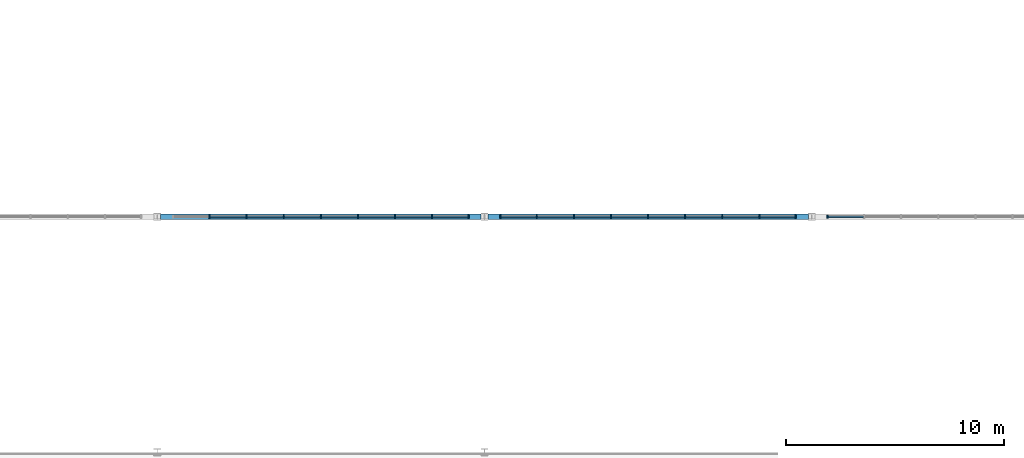
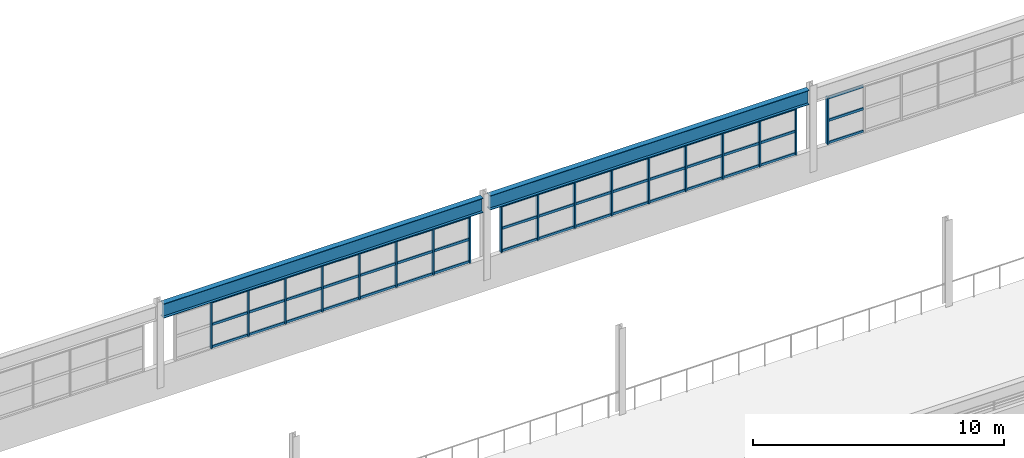
# One storey, part 16 of 92: 66 members, 2 beams, 3 elements without a shape of their own.
"""IFC4 building model written with IfcOpenShell, lengths in metres."""

from ifc_helpers import new_model, si_unit, direction, frame, origin, origin_2d, place, context, subcontext, project, spatial, rectangle, i_section, extrude, material, material_profile, profile_set, type_object, element, aggregate, save


model = new_model("IFC4")

# Units and contexts
model_context = context("Model", 3, precision=1e-05, world=origin(), true_north=direction((0.0, 1.0)))
body_context = subcontext(model_context, "Body", "Model", "MODEL_VIEW")
ifc_project = project(units=[si_unit("LENGTHUNIT", "METRE"), si_unit("AREAUNIT", "SQUARE_METRE"), si_unit("VOLUMEUNIT", "CUBIC_METRE"), si_unit("PLANEANGLEUNIT", "RADIAN"), si_unit("MASSUNIT", "GRAM", prefix="KILO")], contexts=[model_context])

# Site, building, storey
site_placement = place(None, origin())
site = spatial("IfcSite", under=ifc_project, at=site_placement, CompositionType="ELEMENT")
building_placement = place(site_placement, origin())
building = spatial("IfcBuilding", under=site, at=building_placement, Name="Solanera Park Tramway Depot", CompositionType="ELEMENT")
storey_placement = place(building_placement, frame((0.0, 0.0, 4.800048828125)))
storey = spatial("IfcBuildingStorey", under=building, at=storey_placement, Name="L01", CompositionType="ELEMENT", Elevation=4.800048828125)

# Curtain wall, members
ifc_material_1 = material(Name="Bronze-anodised thermally broken aluminium curtain wall", Category="aluminium")
curtain_wall_type = type_object("IfcCurtainWallType", Name="Workshop Daylight Ribbon Curtain Wall", PredefinedType="NOTDEFINED", material=ifc_material_1)
curtain_wall_1_placement = place(storey_placement, origin())
curtain_wall_1 = element("IfcCurtainWall", 1, at=curtain_wall_1_placement, inside=storey, type_object=curtain_wall_type, Name="L01 Workshop Daylight Ribbon Curtain Wall #144", PredefinedType="NOTDEFINED")
ifc_material_2 = material(Name="Bronze-anodised structural aluminium 6063-T6", Category="aluminium")
ifc_material_profile_1 = material_profile(ifc_material_2, rectangle(XDim=0.06494140625, YDim=0.14990234375, at=origin_2d()), Name="Curtain Wall Mullion 65x150")
ifc_profile_set_1 = profile_set([ifc_material_profile_1], Name="Bronze-anodised structural aluminium 6063-T6")
member_type_1 = type_object("IfcMemberType", Name="Curtain Wall Mullion 65x150", PredefinedType="MULLION", material=ifc_profile_set_1)
member_1_placement = place(storey_placement, frame((44.267578125, 54.0, 1.0), z_axis=(0.0, 0.0, 1.0), x_axis=(1.0, 0.0, 0.0)))
member_1 = element("IfcMember", 2, at=member_1_placement, type_object=member_type_1, Name="CW-L01-144 Mullion 1", PredefinedType="MULLION", context=body_context, shape_type="SweptSolid", body=[
    extrude(rectangle(XDim=0.06494140625, YDim=0.14990234375, at=origin_2d()), origin(), (0.0, 0.0, 1.0), 2.300048828125),
])
member_2_placement = place(storey_placement, frame((42.60009765625, 54.0, 1.0), z_axis=(0.0, 0.0, 1.0), x_axis=(1.0, 0.0, 0.0)))
member_2 = element("IfcMember", 3, at=member_2_placement, type_object=member_type_1, Name="CW-L01-144 Mullion 2", PredefinedType="MULLION", context=body_context, shape_type="SweptSolid", body=[
    extrude(rectangle(XDim=0.06494140625, YDim=0.14990234375, at=origin_2d()), origin(), (0.0, 0.0, 1.0), 2.300048828125),
])
member_3_placement = place(storey_placement, frame((40.89990234375, 54.0, 1.0), z_axis=(0.0, 0.0, 1.0), x_axis=(1.0, 0.0, 0.0)))
member_3 = element("IfcMember", 4, at=member_3_placement, type_object=member_type_1, Name="CW-L01-144 Mullion 3", PredefinedType="MULLION", context=body_context, shape_type="SweptSolid", body=[
    extrude(rectangle(XDim=0.06494140625, YDim=0.14990234375, at=origin_2d()), origin(), (0.0, 0.0, 1.0), 2.300048828125),
])
member_4_placement = place(storey_placement, frame((39.199951171875, 54.0, 1.0), z_axis=(0.0, 0.0, 1.0), x_axis=(1.0, 0.0, 0.0)))
member_4 = element("IfcMember", 5, at=member_4_placement, type_object=member_type_1, Name="CW-L01-144 Mullion 4", PredefinedType="MULLION", context=body_context, shape_type="SweptSolid", body=[
    extrude(rectangle(XDim=0.06494140625, YDim=0.14990234375, at=origin_2d()), origin(), (0.0, 0.0, 1.0), 2.300048828125),
])
member_5_placement = place(storey_placement, frame((37.5, 54.0, 1.0), z_axis=(0.0, 0.0, 1.0), x_axis=(1.0, 0.0, 0.0)))
member_5 = element("IfcMember", 6, at=member_5_placement, type_object=member_type_1, Name="CW-L01-144 Mullion 5", PredefinedType="MULLION", context=body_context, shape_type="SweptSolid", body=[
    extrude(rectangle(XDim=0.06494140625, YDim=0.14990234375, at=origin_2d()), origin(), (0.0, 0.0, 1.0), 2.300048828125),
])
member_6_placement = place(storey_placement, frame((35.800048828125, 54.0, 1.0), z_axis=(0.0, 0.0, 1.0), x_axis=(1.0, 0.0, 0.0)))
member_6 = element("IfcMember", 7, at=member_6_placement, type_object=member_type_1, Name="CW-L01-144 Mullion 6", PredefinedType="MULLION", context=body_context, shape_type="SweptSolid", body=[
    extrude(rectangle(XDim=0.06494140625, YDim=0.14990234375, at=origin_2d()), origin(), (0.0, 0.0, 1.0), 2.300048828125),
])
member_7_placement = place(storey_placement, frame((34.10009765625, 54.0, 1.0), z_axis=(0.0, 0.0, 1.0), x_axis=(1.0, 0.0, 0.0)))
member_7 = element("IfcMember", 8, at=member_7_placement, type_object=member_type_1, Name="CW-L01-144 Mullion 7", PredefinedType="MULLION", context=body_context, shape_type="SweptSolid", body=[
    extrude(rectangle(XDim=0.06494140625, YDim=0.14990234375, at=origin_2d()), origin(), (0.0, 0.0, 1.0), 2.300048828125),
])
member_8_placement = place(storey_placement, frame((32.39990234375, 54.0, 1.0), z_axis=(0.0, 0.0, 1.0), x_axis=(1.0, 0.0, 0.0)))
member_8 = element("IfcMember", 9, at=member_8_placement, type_object=member_type_1, Name="CW-L01-144 Mullion 8", PredefinedType="MULLION", context=body_context, shape_type="SweptSolid", body=[
    extrude(rectangle(XDim=0.06494140625, YDim=0.14990234375, at=origin_2d()), origin(), (0.0, 0.0, 1.0), 2.300048828125),
])

curtain_wall_2_placement = place(storey_placement, origin())
curtain_wall_2 = element("IfcCurtainWall", 10, at=curtain_wall_2_placement, inside=storey, type_object=curtain_wall_type, Name="L01 Workshop Daylight Ribbon Curtain Wall #146", PredefinedType="NOTDEFINED")
member_9_placement = place(storey_placement, frame((59.267578125, 54.0, 1.0), z_axis=(0.0, 0.0, 1.0), x_axis=(1.0, 0.0, 0.0)))
member_9 = element("IfcMember", 11, at=member_9_placement, type_object=member_type_1, Name="CW-L01-146 Mullion 1", PredefinedType="MULLION", context=body_context, shape_type="SweptSolid", body=[
    extrude(rectangle(XDim=0.06494140625, YDim=0.14990234375, at=origin_2d()), origin(), (0.0, 0.0, 1.0), 2.300048828125),
])
member_10_placement = place(storey_placement, frame((57.60009765625, 54.0, 1.0), z_axis=(0.0, 0.0, 1.0), x_axis=(1.0, 0.0, 0.0)))
member_10 = element("IfcMember", 12, at=member_10_placement, type_object=member_type_1, Name="CW-L01-146 Mullion 2", PredefinedType="MULLION", context=body_context, shape_type="SweptSolid", body=[
    extrude(rectangle(XDim=0.06494140625, YDim=0.14990234375, at=origin_2d()), origin(), (0.0, 0.0, 1.0), 2.300048828125),
])
member_11_placement = place(storey_placement, frame((55.89990234375, 54.0, 1.0), z_axis=(0.0, 0.0, 1.0), x_axis=(1.0, 0.0, 0.0)))
member_11 = element("IfcMember", 13, at=member_11_placement, type_object=member_type_1, Name="CW-L01-146 Mullion 3", PredefinedType="MULLION", context=body_context, shape_type="SweptSolid", body=[
    extrude(rectangle(XDim=0.06494140625, YDim=0.14990234375, at=origin_2d()), origin(), (0.0, 0.0, 1.0), 2.300048828125),
])
member_12_placement = place(storey_placement, frame((54.199951171875, 54.0, 1.0), z_axis=(0.0, 0.0, 1.0), x_axis=(1.0, 0.0, 0.0)))
member_12 = element("IfcMember", 14, at=member_12_placement, type_object=member_type_1, Name="CW-L01-146 Mullion 4", PredefinedType="MULLION", context=body_context, shape_type="SweptSolid", body=[
    extrude(rectangle(XDim=0.06494140625, YDim=0.14990234375, at=origin_2d()), origin(), (0.0, 0.0, 1.0), 2.300048828125),
])
member_13_placement = place(storey_placement, frame((52.5, 54.0, 1.0), z_axis=(0.0, 0.0, 1.0), x_axis=(1.0, 0.0, 0.0)))
member_13 = element("IfcMember", 15, at=member_13_placement, type_object=member_type_1, Name="CW-L01-146 Mullion 5", PredefinedType="MULLION", context=body_context, shape_type="SweptSolid", body=[
    extrude(rectangle(XDim=0.06494140625, YDim=0.14990234375, at=origin_2d()), origin(), (0.0, 0.0, 1.0), 2.300048828125),
])
member_14_placement = place(storey_placement, frame((50.800048828125, 54.0, 1.0), z_axis=(0.0, 0.0, 1.0), x_axis=(1.0, 0.0, 0.0)))
member_14 = element("IfcMember", 16, at=member_14_placement, type_object=member_type_1, Name="CW-L01-146 Mullion 6", PredefinedType="MULLION", context=body_context, shape_type="SweptSolid", body=[
    extrude(rectangle(XDim=0.06494140625, YDim=0.14990234375, at=origin_2d()), origin(), (0.0, 0.0, 1.0), 2.300048828125),
])
member_15_placement = place(storey_placement, frame((49.10009765625, 54.0, 1.0), z_axis=(0.0, 0.0, 1.0), x_axis=(1.0, 0.0, 0.0)))
member_15 = element("IfcMember", 17, at=member_15_placement, type_object=member_type_1, Name="CW-L01-146 Mullion 7", PredefinedType="MULLION", context=body_context, shape_type="SweptSolid", body=[
    extrude(rectangle(XDim=0.06494140625, YDim=0.14990234375, at=origin_2d()), origin(), (0.0, 0.0, 1.0), 2.300048828125),
])
member_16_placement = place(storey_placement, frame((47.39990234375, 54.0, 1.0), z_axis=(0.0, 0.0, 1.0), x_axis=(1.0, 0.0, 0.0)))
member_16 = element("IfcMember", 18, at=member_16_placement, type_object=member_type_1, Name="CW-L01-146 Mullion 8", PredefinedType="MULLION", context=body_context, shape_type="SweptSolid", body=[
    extrude(rectangle(XDim=0.06494140625, YDim=0.14990234375, at=origin_2d()), origin(), (0.0, 0.0, 1.0), 2.300048828125),
])
member_17_placement = place(storey_placement, frame((45.732421875, 54.0, 1.0), z_axis=(0.0, 0.0, 1.0), x_axis=(1.0, 0.0, 0.0)))
member_17 = element("IfcMember", 19, at=member_17_placement, type_object=member_type_1, Name="CW-L01-146 Mullion 9", PredefinedType="MULLION", context=body_context, shape_type="SweptSolid", body=[
    extrude(rectangle(XDim=0.06494140625, YDim=0.14990234375, at=origin_2d()), origin(), (0.0, 0.0, 1.0), 2.300048828125),
])

# Curtain wall, member
curtain_wall_3_placement = place(storey_placement, origin())
curtain_wall_3 = element("IfcCurtainWall", 20, at=curtain_wall_3_placement, inside=storey, type_object=curtain_wall_type, Name="L01 Workshop Daylight Ribbon Curtain Wall #148", PredefinedType="NOTDEFINED")
member_18_placement = place(storey_placement, frame((60.732421875, 54.0, 1.0), z_axis=(0.0, 0.0, 1.0), x_axis=(1.0, 0.0, 0.0)))
member_18 = element("IfcMember", 21, at=member_18_placement, type_object=member_type_1, Name="CW-L01-148 Mullion 9", PredefinedType="MULLION", context=body_context, shape_type="SweptSolid", body=[
    extrude(rectangle(XDim=0.06494140625, YDim=0.14990234375, at=origin_2d()), origin(), (0.0, 0.0, 1.0), 2.300048828125),
])

# Member
ifc_material_3 = material(Name="Bronze-anodised structural aluminium 6063-T6", Category="aluminium")
ifc_material_profile_2 = material_profile(ifc_material_3, rectangle(XDim=0.06494140625, YDim=0.1201171875, at=origin_2d()), Name="Curtain Wall Transom 65x120")
ifc_profile_set_2 = profile_set([ifc_material_profile_2], Name="Bronze-anodised structural aluminium 6063-T6")
member_type_2 = type_object("IfcMemberType", Name="Curtain Wall Transom 65x120", PredefinedType="USERDEFINED", material=ifc_profile_set_2)
member_19_placement = place(storey_placement, frame((44.239501953125, 54.0, 1.06005859375), z_axis=(-1.0, 0.0, 0.0), x_axis=(0.0, -1.0, 0.0)))
member_19 = element("IfcMember", 22, at=member_19_placement, type_object=member_type_2, Name="CW-L01-144 Transom R1.C1", ObjectType="TRANSOM", PredefinedType="USERDEFINED", context=body_context, shape_type="SweptSolid", body=[
    extrude(rectangle(XDim=0.06494140625, YDim=0.1201171875, at=origin_2d()), origin(), (0.0, 0.0, 1.0), 1.611572265625),
])

member_20_placement = place(storey_placement, frame((42.572021484375, 54.0, 1.06005859375), z_axis=(-1.0, 0.0, 0.0), x_axis=(0.0, -1.0, 0.0)))
member_20 = element("IfcMember", 23, at=member_20_placement, type_object=member_type_2, Name="CW-L01-144 Transom R1.C2", ObjectType="TRANSOM", PredefinedType="USERDEFINED", context=body_context, shape_type="SweptSolid", body=[
    extrude(rectangle(XDim=0.06494140625, YDim=0.1201171875, at=origin_2d()), origin(), (0.0, 0.0, 1.0), 1.64404296875),
])

member_21_placement = place(storey_placement, frame((40.8720703125, 54.0, 1.06005859375), z_axis=(-1.0, 0.0, 0.0), x_axis=(0.0, -1.0, 0.0)))
member_21 = element("IfcMember", 24, at=member_21_placement, type_object=member_type_2, Name="CW-L01-144 Transom R1.C3", ObjectType="TRANSOM", PredefinedType="USERDEFINED", context=body_context, shape_type="SweptSolid", body=[
    extrude(rectangle(XDim=0.06494140625, YDim=0.1201171875, at=origin_2d()), origin(), (0.0, 0.0, 1.0), 1.64404296875),
])

member_22_placement = place(storey_placement, frame((39.172119140625, 54.0, 1.06005859375), z_axis=(-1.0, 0.0, 0.0), x_axis=(0.0, -1.0, 0.0)))
member_22 = element("IfcMember", 25, at=member_22_placement, type_object=member_type_2, Name="CW-L01-144 Transom R1.C4", ObjectType="TRANSOM", PredefinedType="USERDEFINED", context=body_context, shape_type="SweptSolid", body=[
    extrude(rectangle(XDim=0.06494140625, YDim=0.1201171875, at=origin_2d()), origin(), (0.0, 0.0, 1.0), 1.64404296875),
])

member_23_placement = place(storey_placement, frame((37.471923828125, 54.0, 1.06005859375), z_axis=(-1.0, 0.0, 0.0), x_axis=(0.0, -1.0, 0.0)))
member_23 = element("IfcMember", 26, at=member_23_placement, type_object=member_type_2, Name="CW-L01-144 Transom R1.C5", ObjectType="TRANSOM", PredefinedType="USERDEFINED", context=body_context, shape_type="SweptSolid", body=[
    extrude(rectangle(XDim=0.06494140625, YDim=0.1201171875, at=origin_2d()), origin(), (0.0, 0.0, 1.0), 1.64404296875),
])

member_24_placement = place(storey_placement, frame((35.77197265625, 54.0, 1.06005859375), z_axis=(-1.0, 0.0, 0.0), x_axis=(0.0, -1.0, 0.0)))
member_24 = element("IfcMember", 27, at=member_24_placement, type_object=member_type_2, Name="CW-L01-144 Transom R1.C6", ObjectType="TRANSOM", PredefinedType="USERDEFINED", context=body_context, shape_type="SweptSolid", body=[
    extrude(rectangle(XDim=0.06494140625, YDim=0.1201171875, at=origin_2d()), origin(), (0.0, 0.0, 1.0), 1.64404296875),
])

member_25_placement = place(storey_placement, frame((34.072021484375, 54.0, 1.06005859375), z_axis=(-1.0, 0.0, 0.0), x_axis=(0.0, -1.0, 0.0)))
member_25 = element("IfcMember", 28, at=member_25_placement, type_object=member_type_2, Name="CW-L01-144 Transom R1.C7", ObjectType="TRANSOM", PredefinedType="USERDEFINED", context=body_context, shape_type="SweptSolid", body=[
    extrude(rectangle(XDim=0.06494140625, YDim=0.1201171875, at=origin_2d()), origin(), (0.0, 0.0, 1.0), 1.64404296875),
])

member_26_placement = place(storey_placement, frame((44.239501953125, 54.0, 2.14990234375), z_axis=(-1.0, 0.0, 0.0), x_axis=(0.0, -1.0, 0.0)))
member_26 = element("IfcMember", 29, at=member_26_placement, type_object=member_type_2, Name="CW-L01-144 Transom R2.C1", ObjectType="TRANSOM", PredefinedType="USERDEFINED", context=body_context, shape_type="SweptSolid", body=[
    extrude(rectangle(XDim=0.06494140625, YDim=0.1201171875, at=origin_2d()), origin(), (0.0, 0.0, 1.0), 1.611572265625),
])

member_27_placement = place(storey_placement, frame((42.572021484375, 54.0, 2.14990234375), z_axis=(-1.0, 0.0, 0.0), x_axis=(0.0, -1.0, 0.0)))
member_27 = element("IfcMember", 30, at=member_27_placement, type_object=member_type_2, Name="CW-L01-144 Transom R2.C2", ObjectType="TRANSOM", PredefinedType="USERDEFINED", context=body_context, shape_type="SweptSolid", body=[
    extrude(rectangle(XDim=0.06494140625, YDim=0.1201171875, at=origin_2d()), origin(), (0.0, 0.0, 1.0), 1.64404296875),
])

member_28_placement = place(storey_placement, frame((40.8720703125, 54.0, 2.14990234375), z_axis=(-1.0, 0.0, 0.0), x_axis=(0.0, -1.0, 0.0)))
member_28 = element("IfcMember", 31, at=member_28_placement, type_object=member_type_2, Name="CW-L01-144 Transom R2.C3", ObjectType="TRANSOM", PredefinedType="USERDEFINED", context=body_context, shape_type="SweptSolid", body=[
    extrude(rectangle(XDim=0.06494140625, YDim=0.1201171875, at=origin_2d()), origin(), (0.0, 0.0, 1.0), 1.64404296875),
])

member_29_placement = place(storey_placement, frame((39.172119140625, 54.0, 2.14990234375), z_axis=(-1.0, 0.0, 0.0), x_axis=(0.0, -1.0, 0.0)))
member_29 = element("IfcMember", 32, at=member_29_placement, type_object=member_type_2, Name="CW-L01-144 Transom R2.C4", ObjectType="TRANSOM", PredefinedType="USERDEFINED", context=body_context, shape_type="SweptSolid", body=[
    extrude(rectangle(XDim=0.06494140625, YDim=0.1201171875, at=origin_2d()), origin(), (0.0, 0.0, 1.0), 1.64404296875),
])

member_30_placement = place(storey_placement, frame((37.471923828125, 54.0, 2.14990234375), z_axis=(-1.0, 0.0, 0.0), x_axis=(0.0, -1.0, 0.0)))
member_30 = element("IfcMember", 33, at=member_30_placement, type_object=member_type_2, Name="CW-L01-144 Transom R2.C5", ObjectType="TRANSOM", PredefinedType="USERDEFINED", context=body_context, shape_type="SweptSolid", body=[
    extrude(rectangle(XDim=0.06494140625, YDim=0.1201171875, at=origin_2d()), origin(), (0.0, 0.0, 1.0), 1.64404296875),
])

member_31_placement = place(storey_placement, frame((35.77197265625, 54.0, 2.14990234375), z_axis=(-1.0, 0.0, 0.0), x_axis=(0.0, -1.0, 0.0)))
member_31 = element("IfcMember", 34, at=member_31_placement, type_object=member_type_2, Name="CW-L01-144 Transom R2.C6", ObjectType="TRANSOM", PredefinedType="USERDEFINED", context=body_context, shape_type="SweptSolid", body=[
    extrude(rectangle(XDim=0.06494140625, YDim=0.1201171875, at=origin_2d()), origin(), (0.0, 0.0, 1.0), 1.64404296875),
])

member_32_placement = place(storey_placement, frame((34.072021484375, 54.0, 2.14990234375), z_axis=(-1.0, 0.0, 0.0), x_axis=(0.0, -1.0, 0.0)))
member_32 = element("IfcMember", 35, at=member_32_placement, type_object=member_type_2, Name="CW-L01-144 Transom R2.C7", ObjectType="TRANSOM", PredefinedType="USERDEFINED", context=body_context, shape_type="SweptSolid", body=[
    extrude(rectangle(XDim=0.06494140625, YDim=0.1201171875, at=origin_2d()), origin(), (0.0, 0.0, 1.0), 1.64404296875),
])

member_33_placement = place(storey_placement, frame((44.239501953125, 54.0, 3.239990234375), z_axis=(-1.0, 0.0, 0.0), x_axis=(0.0, -1.0, 0.0)))
member_33 = element("IfcMember", 36, at=member_33_placement, type_object=member_type_2, Name="CW-L01-144 Transom R3.C1", ObjectType="TRANSOM", PredefinedType="USERDEFINED", context=body_context, shape_type="SweptSolid", body=[
    extrude(rectangle(XDim=0.06494140625, YDim=0.1201171875, at=origin_2d()), origin(), (0.0, 0.0, 1.0), 1.611572265625),
])

member_34_placement = place(storey_placement, frame((42.572021484375, 54.0, 3.239990234375), z_axis=(-1.0, 0.0, 0.0), x_axis=(0.0, -1.0, 0.0)))
member_34 = element("IfcMember", 37, at=member_34_placement, type_object=member_type_2, Name="CW-L01-144 Transom R3.C2", ObjectType="TRANSOM", PredefinedType="USERDEFINED", context=body_context, shape_type="SweptSolid", body=[
    extrude(rectangle(XDim=0.06494140625, YDim=0.1201171875, at=origin_2d()), origin(), (0.0, 0.0, 1.0), 1.64404296875),
])

member_35_placement = place(storey_placement, frame((40.8720703125, 54.0, 3.239990234375), z_axis=(-1.0, 0.0, 0.0), x_axis=(0.0, -1.0, 0.0)))
member_35 = element("IfcMember", 38, at=member_35_placement, type_object=member_type_2, Name="CW-L01-144 Transom R3.C3", ObjectType="TRANSOM", PredefinedType="USERDEFINED", context=body_context, shape_type="SweptSolid", body=[
    extrude(rectangle(XDim=0.06494140625, YDim=0.1201171875, at=origin_2d()), origin(), (0.0, 0.0, 1.0), 1.64404296875),
])

member_36_placement = place(storey_placement, frame((39.172119140625, 54.0, 3.239990234375), z_axis=(-1.0, 0.0, 0.0), x_axis=(0.0, -1.0, 0.0)))
member_36 = element("IfcMember", 39, at=member_36_placement, type_object=member_type_2, Name="CW-L01-144 Transom R3.C4", ObjectType="TRANSOM", PredefinedType="USERDEFINED", context=body_context, shape_type="SweptSolid", body=[
    extrude(rectangle(XDim=0.06494140625, YDim=0.1201171875, at=origin_2d()), origin(), (0.0, 0.0, 1.0), 1.64404296875),
])

member_37_placement = place(storey_placement, frame((37.471923828125, 54.0, 3.239990234375), z_axis=(-1.0, 0.0, 0.0), x_axis=(0.0, -1.0, 0.0)))
member_37 = element("IfcMember", 40, at=member_37_placement, type_object=member_type_2, Name="CW-L01-144 Transom R3.C5", ObjectType="TRANSOM", PredefinedType="USERDEFINED", context=body_context, shape_type="SweptSolid", body=[
    extrude(rectangle(XDim=0.06494140625, YDim=0.1201171875, at=origin_2d()), origin(), (0.0, 0.0, 1.0), 1.64404296875),
])

member_38_placement = place(storey_placement, frame((35.77197265625, 54.0, 3.239990234375), z_axis=(-1.0, 0.0, 0.0), x_axis=(0.0, -1.0, 0.0)))
member_38 = element("IfcMember", 41, at=member_38_placement, type_object=member_type_2, Name="CW-L01-144 Transom R3.C6", ObjectType="TRANSOM", PredefinedType="USERDEFINED", context=body_context, shape_type="SweptSolid", body=[
    extrude(rectangle(XDim=0.06494140625, YDim=0.1201171875, at=origin_2d()), origin(), (0.0, 0.0, 1.0), 1.64404296875),
])

member_39_placement = place(storey_placement, frame((34.072021484375, 54.0, 3.239990234375), z_axis=(-1.0, 0.0, 0.0), x_axis=(0.0, -1.0, 0.0)))
member_39 = element("IfcMember", 42, at=member_39_placement, type_object=member_type_2, Name="CW-L01-144 Transom R3.C7", ObjectType="TRANSOM", PredefinedType="USERDEFINED", context=body_context, shape_type="SweptSolid", body=[
    extrude(rectangle(XDim=0.06494140625, YDim=0.1201171875, at=origin_2d()), origin(), (0.0, 0.0, 1.0), 1.64404296875),
])

aggregate(curtain_wall_1, [member_1, member_2, member_3, member_4, member_5, member_6, member_7, member_8, member_19, member_20, member_21, member_22, member_23, member_24, member_25, member_26, member_27, member_28, member_29, member_30, member_31, member_32, member_33, member_34, member_35, member_36, member_37, member_38, member_39])

member_40_placement = place(storey_placement, frame((59.239501953125, 54.0, 1.06005859375), z_axis=(-1.0, 0.0, 0.0), x_axis=(0.0, -1.0, 0.0)))
member_40 = element("IfcMember", 43, at=member_40_placement, type_object=member_type_2, Name="CW-L01-146 Transom R1.C1", ObjectType="TRANSOM", PredefinedType="USERDEFINED", context=body_context, shape_type="SweptSolid", body=[
    extrude(rectangle(XDim=0.06494140625, YDim=0.1201171875, at=origin_2d()), origin(), (0.0, 0.0, 1.0), 1.611572265625),
])

member_41_placement = place(storey_placement, frame((57.572021484375, 54.0, 1.06005859375), z_axis=(-1.0, 0.0, 0.0), x_axis=(0.0, -1.0, 0.0)))
member_41 = element("IfcMember", 44, at=member_41_placement, type_object=member_type_2, Name="CW-L01-146 Transom R1.C2", ObjectType="TRANSOM", PredefinedType="USERDEFINED", context=body_context, shape_type="SweptSolid", body=[
    extrude(rectangle(XDim=0.06494140625, YDim=0.1201171875, at=origin_2d()), origin(), (0.0, 0.0, 1.0), 1.64404296875),
])

member_42_placement = place(storey_placement, frame((55.8720703125, 54.0, 1.06005859375), z_axis=(-1.0, 0.0, 0.0), x_axis=(0.0, -1.0, 0.0)))
member_42 = element("IfcMember", 45, at=member_42_placement, type_object=member_type_2, Name="CW-L01-146 Transom R1.C3", ObjectType="TRANSOM", PredefinedType="USERDEFINED", context=body_context, shape_type="SweptSolid", body=[
    extrude(rectangle(XDim=0.06494140625, YDim=0.1201171875, at=origin_2d()), origin(), (0.0, 0.0, 1.0), 1.64404296875),
])

member_43_placement = place(storey_placement, frame((54.172119140625, 54.0, 1.06005859375), z_axis=(-1.0, 0.0, 0.0), x_axis=(0.0, -1.0, 0.0)))
member_43 = element("IfcMember", 46, at=member_43_placement, type_object=member_type_2, Name="CW-L01-146 Transom R1.C4", ObjectType="TRANSOM", PredefinedType="USERDEFINED", context=body_context, shape_type="SweptSolid", body=[
    extrude(rectangle(XDim=0.06494140625, YDim=0.1201171875, at=origin_2d()), origin(), (0.0, 0.0, 1.0), 1.64404296875),
])

member_44_placement = place(storey_placement, frame((52.471923828125, 54.0, 1.06005859375), z_axis=(-1.0, 0.0, 0.0), x_axis=(0.0, -1.0, 0.0)))
member_44 = element("IfcMember", 47, at=member_44_placement, type_object=member_type_2, Name="CW-L01-146 Transom R1.C5", ObjectType="TRANSOM", PredefinedType="USERDEFINED", context=body_context, shape_type="SweptSolid", body=[
    extrude(rectangle(XDim=0.06494140625, YDim=0.1201171875, at=origin_2d()), origin(), (0.0, 0.0, 1.0), 1.64404296875),
])

member_45_placement = place(storey_placement, frame((50.77197265625, 54.0, 1.06005859375), z_axis=(-1.0, 0.0, 0.0), x_axis=(0.0, -1.0, 0.0)))
member_45 = element("IfcMember", 48, at=member_45_placement, type_object=member_type_2, Name="CW-L01-146 Transom R1.C6", ObjectType="TRANSOM", PredefinedType="USERDEFINED", context=body_context, shape_type="SweptSolid", body=[
    extrude(rectangle(XDim=0.06494140625, YDim=0.1201171875, at=origin_2d()), origin(), (0.0, 0.0, 1.0), 1.64404296875),
])

member_46_placement = place(storey_placement, frame((49.072021484375, 54.0, 1.06005859375), z_axis=(-1.0, 0.0, 0.0), x_axis=(0.0, -1.0, 0.0)))
member_46 = element("IfcMember", 49, at=member_46_placement, type_object=member_type_2, Name="CW-L01-146 Transom R1.C7", ObjectType="TRANSOM", PredefinedType="USERDEFINED", context=body_context, shape_type="SweptSolid", body=[
    extrude(rectangle(XDim=0.06494140625, YDim=0.1201171875, at=origin_2d()), origin(), (0.0, 0.0, 1.0), 1.64404296875),
])

member_47_placement = place(storey_placement, frame((47.3720703125, 54.0, 1.06005859375), z_axis=(-1.0, 0.0, 0.0), x_axis=(0.0, -1.0, 0.0)))
member_47 = element("IfcMember", 50, at=member_47_placement, type_object=member_type_2, Name="CW-L01-146 Transom R1.C8", ObjectType="TRANSOM", PredefinedType="USERDEFINED", context=body_context, shape_type="SweptSolid", body=[
    extrude(rectangle(XDim=0.06494140625, YDim=0.1201171875, at=origin_2d()), origin(), (0.0, 0.0, 1.0), 1.611572265625),
])

member_48_placement = place(storey_placement, frame((59.239501953125, 54.0, 2.14990234375), z_axis=(-1.0, 0.0, 0.0), x_axis=(0.0, -1.0, 0.0)))
member_48 = element("IfcMember", 51, at=member_48_placement, type_object=member_type_2, Name="CW-L01-146 Transom R2.C1", ObjectType="TRANSOM", PredefinedType="USERDEFINED", context=body_context, shape_type="SweptSolid", body=[
    extrude(rectangle(XDim=0.06494140625, YDim=0.1201171875, at=origin_2d()), origin(), (0.0, 0.0, 1.0), 1.611572265625),
])

member_49_placement = place(storey_placement, frame((57.572021484375, 54.0, 2.14990234375), z_axis=(-1.0, 0.0, 0.0), x_axis=(0.0, -1.0, 0.0)))
member_49 = element("IfcMember", 52, at=member_49_placement, type_object=member_type_2, Name="CW-L01-146 Transom R2.C2", ObjectType="TRANSOM", PredefinedType="USERDEFINED", context=body_context, shape_type="SweptSolid", body=[
    extrude(rectangle(XDim=0.06494140625, YDim=0.1201171875, at=origin_2d()), origin(), (0.0, 0.0, 1.0), 1.64404296875),
])

member_50_placement = place(storey_placement, frame((55.8720703125, 54.0, 2.14990234375), z_axis=(-1.0, 0.0, 0.0), x_axis=(0.0, -1.0, 0.0)))
member_50 = element("IfcMember", 53, at=member_50_placement, type_object=member_type_2, Name="CW-L01-146 Transom R2.C3", ObjectType="TRANSOM", PredefinedType="USERDEFINED", context=body_context, shape_type="SweptSolid", body=[
    extrude(rectangle(XDim=0.06494140625, YDim=0.1201171875, at=origin_2d()), origin(), (0.0, 0.0, 1.0), 1.64404296875),
])

member_51_placement = place(storey_placement, frame((54.172119140625, 54.0, 2.14990234375), z_axis=(-1.0, 0.0, 0.0), x_axis=(0.0, -1.0, 0.0)))
member_51 = element("IfcMember", 54, at=member_51_placement, type_object=member_type_2, Name="CW-L01-146 Transom R2.C4", ObjectType="TRANSOM", PredefinedType="USERDEFINED", context=body_context, shape_type="SweptSolid", body=[
    extrude(rectangle(XDim=0.06494140625, YDim=0.1201171875, at=origin_2d()), origin(), (0.0, 0.0, 1.0), 1.64404296875),
])

member_52_placement = place(storey_placement, frame((52.471923828125, 54.0, 2.14990234375), z_axis=(-1.0, 0.0, 0.0), x_axis=(0.0, -1.0, 0.0)))
member_52 = element("IfcMember", 55, at=member_52_placement, type_object=member_type_2, Name="CW-L01-146 Transom R2.C5", ObjectType="TRANSOM", PredefinedType="USERDEFINED", context=body_context, shape_type="SweptSolid", body=[
    extrude(rectangle(XDim=0.06494140625, YDim=0.1201171875, at=origin_2d()), origin(), (0.0, 0.0, 1.0), 1.64404296875),
])

member_53_placement = place(storey_placement, frame((50.77197265625, 54.0, 2.14990234375), z_axis=(-1.0, 0.0, 0.0), x_axis=(0.0, -1.0, 0.0)))
member_53 = element("IfcMember", 56, at=member_53_placement, type_object=member_type_2, Name="CW-L01-146 Transom R2.C6", ObjectType="TRANSOM", PredefinedType="USERDEFINED", context=body_context, shape_type="SweptSolid", body=[
    extrude(rectangle(XDim=0.06494140625, YDim=0.1201171875, at=origin_2d()), origin(), (0.0, 0.0, 1.0), 1.64404296875),
])

member_54_placement = place(storey_placement, frame((49.072021484375, 54.0, 2.14990234375), z_axis=(-1.0, 0.0, 0.0), x_axis=(0.0, -1.0, 0.0)))
member_54 = element("IfcMember", 57, at=member_54_placement, type_object=member_type_2, Name="CW-L01-146 Transom R2.C7", ObjectType="TRANSOM", PredefinedType="USERDEFINED", context=body_context, shape_type="SweptSolid", body=[
    extrude(rectangle(XDim=0.06494140625, YDim=0.1201171875, at=origin_2d()), origin(), (0.0, 0.0, 1.0), 1.64404296875),
])

member_55_placement = place(storey_placement, frame((47.3720703125, 54.0, 2.14990234375), z_axis=(-1.0, 0.0, 0.0), x_axis=(0.0, -1.0, 0.0)))
member_55 = element("IfcMember", 58, at=member_55_placement, type_object=member_type_2, Name="CW-L01-146 Transom R2.C8", ObjectType="TRANSOM", PredefinedType="USERDEFINED", context=body_context, shape_type="SweptSolid", body=[
    extrude(rectangle(XDim=0.06494140625, YDim=0.1201171875, at=origin_2d()), origin(), (0.0, 0.0, 1.0), 1.611572265625),
])

member_56_placement = place(storey_placement, frame((59.239501953125, 54.0, 3.239990234375), z_axis=(-1.0, 0.0, 0.0), x_axis=(0.0, -1.0, 0.0)))
member_56 = element("IfcMember", 59, at=member_56_placement, type_object=member_type_2, Name="CW-L01-146 Transom R3.C1", ObjectType="TRANSOM", PredefinedType="USERDEFINED", context=body_context, shape_type="SweptSolid", body=[
    extrude(rectangle(XDim=0.06494140625, YDim=0.1201171875, at=origin_2d()), origin(), (0.0, 0.0, 1.0), 1.611572265625),
])

member_57_placement = place(storey_placement, frame((57.572021484375, 54.0, 3.239990234375), z_axis=(-1.0, 0.0, 0.0), x_axis=(0.0, -1.0, 0.0)))
member_57 = element("IfcMember", 60, at=member_57_placement, type_object=member_type_2, Name="CW-L01-146 Transom R3.C2", ObjectType="TRANSOM", PredefinedType="USERDEFINED", context=body_context, shape_type="SweptSolid", body=[
    extrude(rectangle(XDim=0.06494140625, YDim=0.1201171875, at=origin_2d()), origin(), (0.0, 0.0, 1.0), 1.64404296875),
])

member_58_placement = place(storey_placement, frame((55.8720703125, 54.0, 3.239990234375), z_axis=(-1.0, 0.0, 0.0), x_axis=(0.0, -1.0, 0.0)))
member_58 = element("IfcMember", 61, at=member_58_placement, type_object=member_type_2, Name="CW-L01-146 Transom R3.C3", ObjectType="TRANSOM", PredefinedType="USERDEFINED", context=body_context, shape_type="SweptSolid", body=[
    extrude(rectangle(XDim=0.06494140625, YDim=0.1201171875, at=origin_2d()), origin(), (0.0, 0.0, 1.0), 1.64404296875),
])

member_59_placement = place(storey_placement, frame((54.172119140625, 54.0, 3.239990234375), z_axis=(-1.0, 0.0, 0.0), x_axis=(0.0, -1.0, 0.0)))
member_59 = element("IfcMember", 62, at=member_59_placement, type_object=member_type_2, Name="CW-L01-146 Transom R3.C4", ObjectType="TRANSOM", PredefinedType="USERDEFINED", context=body_context, shape_type="SweptSolid", body=[
    extrude(rectangle(XDim=0.06494140625, YDim=0.1201171875, at=origin_2d()), origin(), (0.0, 0.0, 1.0), 1.64404296875),
])

member_60_placement = place(storey_placement, frame((52.471923828125, 54.0, 3.239990234375), z_axis=(-1.0, 0.0, 0.0), x_axis=(0.0, -1.0, 0.0)))
member_60 = element("IfcMember", 63, at=member_60_placement, type_object=member_type_2, Name="CW-L01-146 Transom R3.C5", ObjectType="TRANSOM", PredefinedType="USERDEFINED", context=body_context, shape_type="SweptSolid", body=[
    extrude(rectangle(XDim=0.06494140625, YDim=0.1201171875, at=origin_2d()), origin(), (0.0, 0.0, 1.0), 1.64404296875),
])

member_61_placement = place(storey_placement, frame((50.77197265625, 54.0, 3.239990234375), z_axis=(-1.0, 0.0, 0.0), x_axis=(0.0, -1.0, 0.0)))
member_61 = element("IfcMember", 64, at=member_61_placement, type_object=member_type_2, Name="CW-L01-146 Transom R3.C6", ObjectType="TRANSOM", PredefinedType="USERDEFINED", context=body_context, shape_type="SweptSolid", body=[
    extrude(rectangle(XDim=0.06494140625, YDim=0.1201171875, at=origin_2d()), origin(), (0.0, 0.0, 1.0), 1.64404296875),
])

member_62_placement = place(storey_placement, frame((49.072021484375, 54.0, 3.239990234375), z_axis=(-1.0, 0.0, 0.0), x_axis=(0.0, -1.0, 0.0)))
member_62 = element("IfcMember", 65, at=member_62_placement, type_object=member_type_2, Name="CW-L01-146 Transom R3.C7", ObjectType="TRANSOM", PredefinedType="USERDEFINED", context=body_context, shape_type="SweptSolid", body=[
    extrude(rectangle(XDim=0.06494140625, YDim=0.1201171875, at=origin_2d()), origin(), (0.0, 0.0, 1.0), 1.64404296875),
])

member_63_placement = place(storey_placement, frame((47.3720703125, 54.0, 3.239990234375), z_axis=(-1.0, 0.0, 0.0), x_axis=(0.0, -1.0, 0.0)))
member_63 = element("IfcMember", 66, at=member_63_placement, type_object=member_type_2, Name="CW-L01-146 Transom R3.C8", ObjectType="TRANSOM", PredefinedType="USERDEFINED", context=body_context, shape_type="SweptSolid", body=[
    extrude(rectangle(XDim=0.06494140625, YDim=0.1201171875, at=origin_2d()), origin(), (0.0, 0.0, 1.0), 1.611572265625),
])

aggregate(curtain_wall_2, [member_9, member_10, member_11, member_12, member_13, member_14, member_15, member_16, member_17, member_40, member_41, member_42, member_43, member_44, member_45, member_46, member_47, member_48, member_49, member_50, member_51, member_52, member_53, member_54, member_55, member_56, member_57, member_58, member_59, member_60, member_61, member_62, member_63])

member_64_placement = place(storey_placement, frame((62.3720703125, 54.0, 1.06005859375), z_axis=(-1.0, 0.0, 0.0), x_axis=(0.0, -1.0, 0.0)))
member_64 = element("IfcMember", 67, at=member_64_placement, type_object=member_type_2, Name="CW-L01-148 Transom R1.C8", ObjectType="TRANSOM", PredefinedType="USERDEFINED", context=body_context, shape_type="SweptSolid", body=[
    extrude(rectangle(XDim=0.06494140625, YDim=0.1201171875, at=origin_2d()), origin(), (0.0, 0.0, 1.0), 1.611572265625),
])

member_65_placement = place(storey_placement, frame((62.3720703125, 54.0, 2.14990234375), z_axis=(-1.0, 0.0, 0.0), x_axis=(0.0, -1.0, 0.0)))
member_65 = element("IfcMember", 68, at=member_65_placement, type_object=member_type_2, Name="CW-L01-148 Transom R2.C8", ObjectType="TRANSOM", PredefinedType="USERDEFINED", context=body_context, shape_type="SweptSolid", body=[
    extrude(rectangle(XDim=0.06494140625, YDim=0.1201171875, at=origin_2d()), origin(), (0.0, 0.0, 1.0), 1.611572265625),
])

member_66_placement = place(storey_placement, frame((62.3720703125, 54.0, 3.239990234375), z_axis=(-1.0, 0.0, 0.0), x_axis=(0.0, -1.0, 0.0)))
member_66 = element("IfcMember", 69, at=member_66_placement, type_object=member_type_2, Name="CW-L01-148 Transom R3.C8", ObjectType="TRANSOM", PredefinedType="USERDEFINED", context=body_context, shape_type="SweptSolid", body=[
    extrude(rectangle(XDim=0.06494140625, YDim=0.1201171875, at=origin_2d()), origin(), (0.0, 0.0, 1.0), 1.611572265625),
])

aggregate(curtain_wall_3, [member_18, member_64, member_65, member_66])

# Beams
ifc_material_4 = material(Name="Steel AS/NZS 3679.1 Grade 350", Category="steel")
ifc_material_profile_3 = material_profile(ifc_material_4, i_section(OverallWidth=0.25, OverallDepth=0.699951171875, WebThickness=0.010009765625, FlangeThickness=0.02001953125, at=origin_2d()), Name="700WB130")
ifc_profile_set_3 = profile_set([ifc_material_profile_3], Name="Steel AS/NZS 3679.1 Grade 350")
beam_type = type_object("IfcBeamType", Name="Steel Beam 700WB130", PredefinedType="BEAM", material=ifc_profile_set_3)
for number, where, z_axis, x_axis, name in (
    (70, (30.1552734375, 54.0, 3.64990234375), (1.0, 0.0, 0.0), (0.0, 1.0, 0.0), "Bridge Crane Runway Girder 700WB130 #0406"),
    (71, (45.1552734375, 54.0, 3.64990234375), (1.0, 0.0, 0.0), (0.0, 1.0, 0.0), "Bridge Crane Runway Girder 700WB130 #0408"),
):
    element("IfcBeam", number, at=place(storey_placement, frame(where, z_axis=z_axis, x_axis=x_axis)), inside=storey, type_object=beam_type, Name=name, PredefinedType="BEAM", context=body_context, shape_type="SweptSolid", body=[
        extrude(i_section(OverallWidth=0.25, OverallDepth=0.699951171875, WebThickness=0.010009765625, FlangeThickness=0.02001953125, at=origin_2d()), origin(), (0.0, 0.0, 1.0), 14.689453125),
    ])

save(model, "model.ifc")
